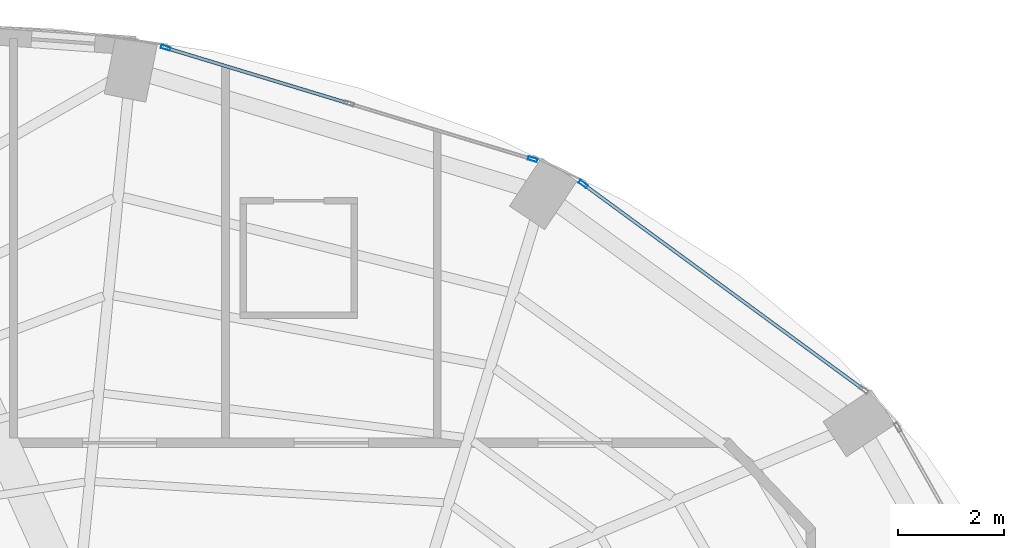
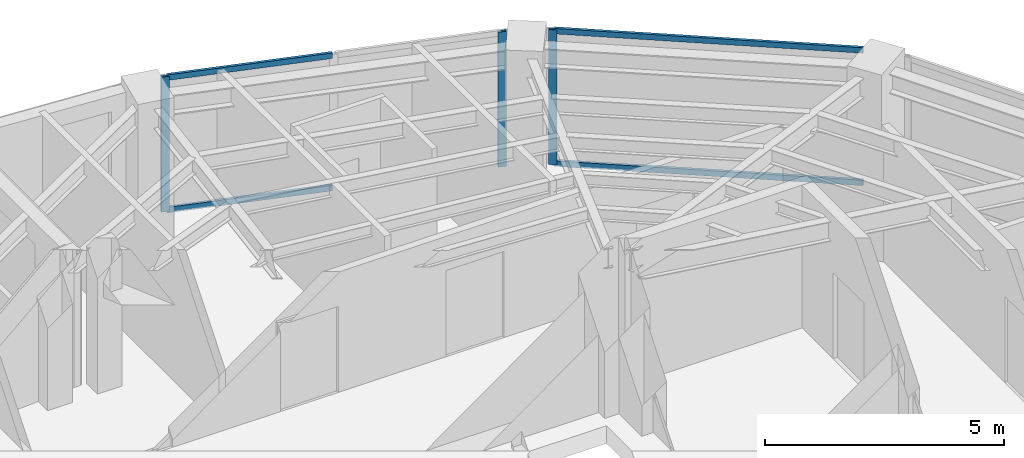
# One storey, part 17 of 23: 7 members, 2 elements without a shape of their own.
"""IFC4 building model written with IfcOpenShell, lengths in metres."""

from ifc_helpers import new_model, si_unit, direction, frame, origin, origin_2d, place, context, subcontext, project, spatial, hollow_rectangle, extrude, material, layer, layer_set, material_profile, profile_set, type_object, element, aggregate, save


model = new_model("IFC4")

# Units and contexts
model_context = context("Model", 3, precision=1e-05, world=origin(), true_north=direction((0.0, 1.0)))
body_context = subcontext(model_context, "Body", "Model", "MODEL_VIEW")
ifc_project = project(units=[si_unit("LENGTHUNIT", "METRE"), si_unit("AREAUNIT", "SQUARE_METRE"), si_unit("VOLUMEUNIT", "CUBIC_METRE"), si_unit("PLANEANGLEUNIT", "RADIAN"), si_unit("MASSUNIT", "GRAM", prefix="KILO")], contexts=[model_context])

# Site, building, storey
site_placement = place(None, origin())
site = spatial("IfcSite", under=ifc_project, at=site_placement, CompositionType="ELEMENT")
building_placement = place(site_placement, origin())
building = spatial("IfcBuilding", under=site, at=building_placement, Name="Lazwardi Medical Tower", CompositionType="ELEMENT")
storey_placement = place(building_placement, frame((0.0, 0.0, 194.83203125)))
storey = spatial("IfcBuildingStorey", under=building, at=storey_placement, Name="L50", CompositionType="ELEMENT", Elevation=194.83203125)

# Curtain wall, member
ifc_material_1 = material(Name="Anodised bronze aluminium and solar control glazing", Category="aluminium")
ifc_layer = layer(ifc_material_1, 0.18994140625)
ifc_layer_set = layer_set([ifc_layer], Name="Anodised bronze aluminium and solar control glazing")
curtain_wall_type = type_object("IfcCurtainWallType", Name="CW-SYS-04", PredefinedType="NOTDEFINED", material=ifc_layer_set)
curtain_wall_1_placement = place(storey_placement, origin())
curtain_wall_1 = element("IfcCurtainWall", 1, at=curtain_wall_1_placement, inside=storey, type_object=curtain_wall_type, Name="L50 Unitised bronze curtain wall CW-04", PredefinedType="NOTDEFINED")
ifc_material_2 = material(Name="Anodised bronze aluminium", Category="aluminium")
ifc_material_profile_1 = material_profile(ifc_material_2, hollow_rectangle(XDim=0.06494140625, YDim=0.179931640625, WallThickness=0.00390625, at=origin_2d()), Name="ALU-MULLION 180x65x4")
ifc_profile_set_1 = profile_set([ifc_material_profile_1], Name="Anodised bronze aluminium")
member_type_1 = type_object("IfcMemberType", Name="CW-MUL-03", PredefinedType="MULLION", material=ifc_profile_set_1)
member_1_placement = place(storey_placement, frame((48.75537109375, 43.634765625, 0.0), z_axis=(0.0, 0.0, 1.0), x_axis=(-0.591268230971, -0.806474971121, 0.0)))
member_1 = element("IfcMember", 2, at=member_1_placement, type_object=member_type_1, Name="CW-04 mullion 2", PredefinedType="MULLION", context=body_context, shape_type="SweptSolid", body=[
    extrude(hollow_rectangle(XDim=0.06494140625, YDim=0.179931640625, WallThickness=0.00390625, at=origin_2d()), origin(), (0.0, 0.0, 1.0), 3.447998046875),
])

# Curtain wall, members
curtain_wall_2_placement = place(storey_placement, origin())
curtain_wall_2 = element("IfcCurtainWall", 3, at=curtain_wall_2_placement, inside=storey, type_object=curtain_wall_type, Name="L50 Unitised bronze curtain wall CW-04", PredefinedType="NOTDEFINED")
member_2_placement = place(storey_placement, frame((47.7998046875, 44.103515625, 0.0), z_axis=(0.0, 0.0, 1.0), x_axis=(-0.290581889515, -0.956850126972, 0.0)))
member_2 = element("IfcMember", 4, at=member_2_placement, type_object=member_type_1, Name="CW-04 mullion 1", PredefinedType="MULLION", context=body_context, shape_type="SweptSolid", body=[
    extrude(hollow_rectangle(XDim=0.06494140625, YDim=0.179931640625, WallThickness=0.00390625, at=origin_2d()), origin(), (0.0, 0.0, 1.0), 3.447998046875),
])
member_3_placement = place(storey_placement, frame((40.873046875, 46.20703125, 0.0), z_axis=(0.0, 0.0, 1.0), x_axis=(-0.290581889515, -0.956850126972, 0.0)))
member_3 = element("IfcMember", 5, at=member_3_placement, type_object=member_type_1, Name="CW-04 mullion 3", PredefinedType="MULLION", context=body_context, shape_type="SweptSolid", body=[
    extrude(hollow_rectangle(XDim=0.06494140625, YDim=0.179931640625, WallThickness=0.00390625, at=origin_2d()), origin(), (0.0, 0.0, 1.0), 3.447998046875),
])

# Member
ifc_material_profile_2 = material_profile(ifc_material_2, hollow_rectangle(XDim=0.06494140625, YDim=0.139892578125, WallThickness=0.00341796875, at=origin_2d()), Name="ALU-TRANSOM 140x65x3.5")
ifc_profile_set_2 = profile_set([ifc_material_profile_2], Name="Anodised bronze aluminium")
member_type_2 = type_object("IfcMemberType", Name="CW-TRN-03", PredefinedType="USERDEFINED", material=ifc_profile_set_2)
member_4_placement = place(storey_placement, frame((54.02587890625, 39.770751953125, 0.032470703125), z_axis=(-0.806471831148, 0.591272513791, 0.0), x_axis=(-0.591272513791, -0.806471831148, 0.0)))
member_4 = element("IfcMember", 6, at=member_4_placement, type_object=member_type_2, Name="CW-04 transom 1.1", ObjectType="TRANSOM", PredefinedType="USERDEFINED", context=body_context, shape_type="SweptSolid", body=[
    extrude(hollow_rectangle(XDim=0.06494140625, YDim=0.139892578125, WallThickness=0.00341796875, at=origin_2d()), origin(), (0.0, 0.0, 1.0), 6.5029296875),
])

member_5_placement = place(storey_placement, frame((54.02587890625, 39.770751953125, 3.41552734375), z_axis=(-0.806471831148, 0.591272513791, 0.0), x_axis=(-0.591272513791, -0.806471831148, 0.0)))
member_5 = element("IfcMember", 7, at=member_5_placement, type_object=member_type_2, Name="CW-04 transom 1.2", ObjectType="TRANSOM", PredefinedType="USERDEFINED", context=body_context, shape_type="SweptSolid", body=[
    extrude(hollow_rectangle(XDim=0.06494140625, YDim=0.139892578125, WallThickness=0.00341796875, at=origin_2d()), origin(), (0.0, 0.0, 1.0), 6.5029296875),
])

aggregate(curtain_wall_1, [member_1, member_4, member_5])

member_6_placement = place(storey_placement, frame((44.305419921875, 45.164794921875, 0.032470703125), z_axis=(-0.956862505902, 0.290541124109, 0.0), x_axis=(-0.290541124109, -0.956862505902, 0.0)))
member_6 = element("IfcMember", 8, at=member_6_placement, type_object=member_type_2, Name="CW-04 transom 2.1", ObjectType="TRANSOM", PredefinedType="USERDEFINED", context=body_context, shape_type="SweptSolid", body=[
    extrude(hollow_rectangle(XDim=0.06494140625, YDim=0.139892578125, WallThickness=0.00341796875, at=origin_2d()), origin(), (0.0, 0.0, 1.0), 3.554443359375),
])

member_7_placement = place(storey_placement, frame((44.305419921875, 45.164794921875, 3.41552734375), z_axis=(-0.956862505902, 0.290541124109, 0.0), x_axis=(-0.290541124109, -0.956862505902, 0.0)))
member_7 = element("IfcMember", 9, at=member_7_placement, type_object=member_type_2, Name="CW-04 transom 2.2", ObjectType="TRANSOM", PredefinedType="USERDEFINED", context=body_context, shape_type="SweptSolid", body=[
    extrude(hollow_rectangle(XDim=0.06494140625, YDim=0.139892578125, WallThickness=0.00341796875, at=origin_2d()), origin(), (0.0, 0.0, 1.0), 3.554443359375),
])

aggregate(curtain_wall_2, [member_2, member_3, member_6, member_7])

save(model, "model.ifc")
